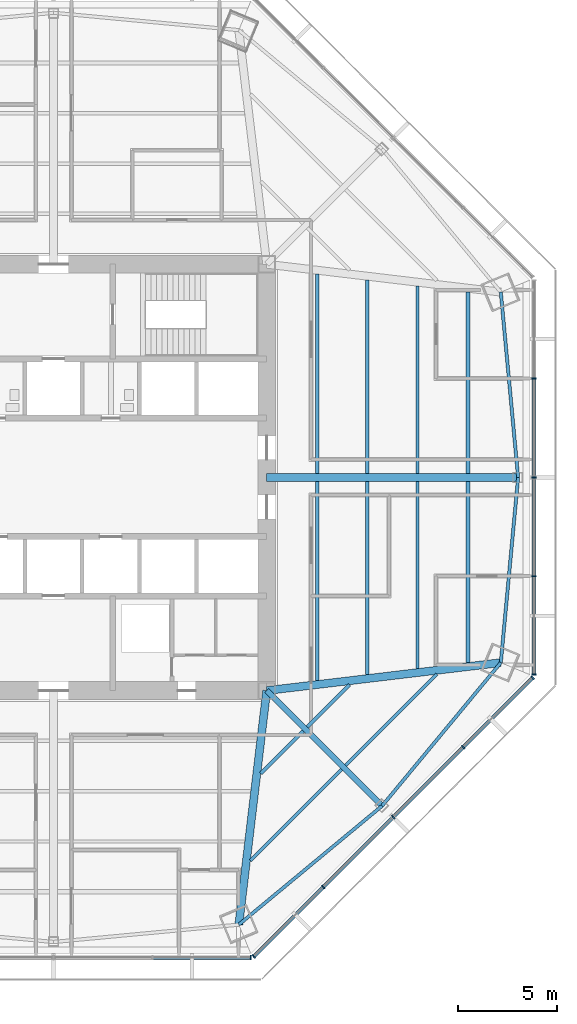
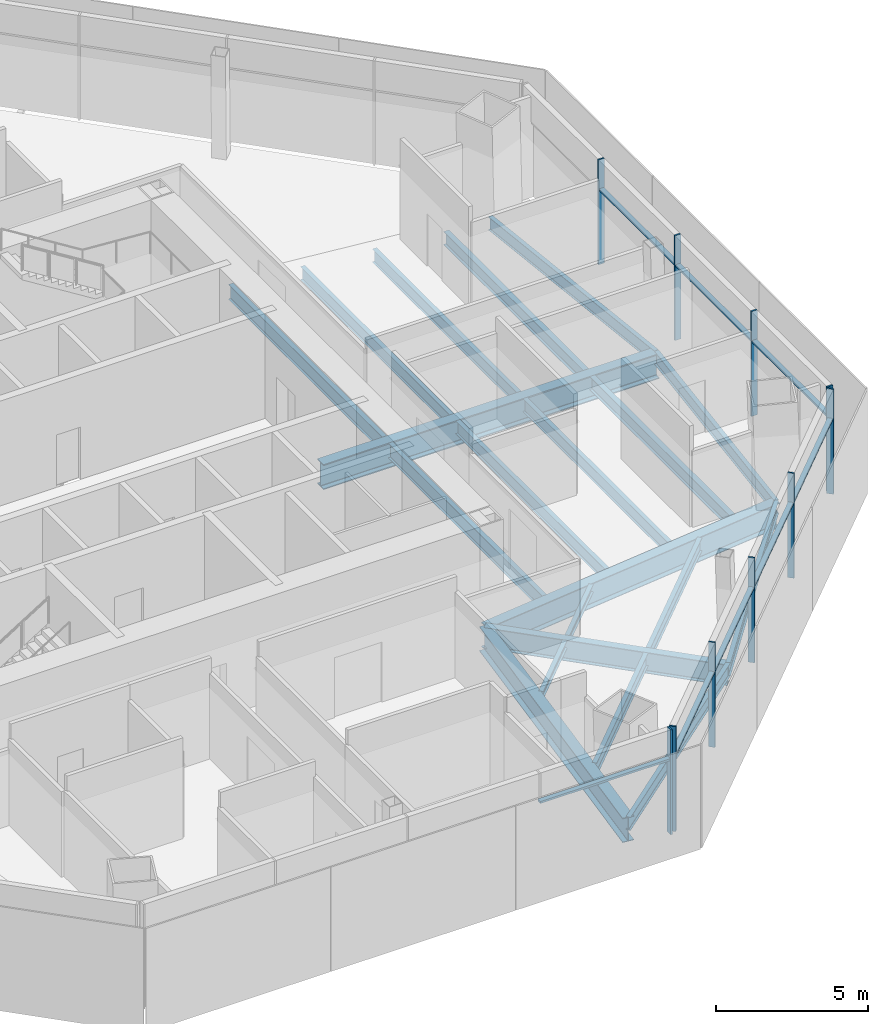
# One storey, part 4 of 14: 20 beams, 18 members, 3 elements without a shape of their own.
"""IFC4 building model written with IfcOpenShell, lengths in metres."""

from ifc_helpers import new_model, si_unit, direction, frame, origin, origin_2d, place, context, subcontext, project, spatial, rectangle, i_section, extrude, source, transform, mapped, material, material_profile, profile_set, type_object, type_shapes, element, aggregate, save


model = new_model("IFC4")

# Units and contexts
model_context = context("Model", 3, precision=1e-05, world=origin(), true_north=direction((0.0, 1.0)))
body_context = subcontext(model_context, "Body", "Model", "MODEL_VIEW")
ifc_project = project(units=[si_unit("LENGTHUNIT", "METRE"), si_unit("AREAUNIT", "SQUARE_METRE"), si_unit("VOLUMEUNIT", "CUBIC_METRE"), si_unit("PLANEANGLEUNIT", "RADIAN"), si_unit("MASSUNIT", "GRAM", prefix="KILO")], contexts=[model_context])

# Site, building, storey
site_placement = place(None, origin())
site = spatial("IfcSite", under=ifc_project, at=site_placement, CompositionType="ELEMENT")
building_placement = place(site_placement, origin())
building = spatial("IfcBuilding", under=site, at=building_placement, Name="Mashrafa Tower", CompositionType="ELEMENT")
storey_placement = place(building_placement, frame((0.0, 0.0, 130.199951171875)))
storey = spatial("IfcBuildingStorey", under=building, at=storey_placement, Name="L29", CompositionType="ELEMENT", Elevation=130.199951171875)

# Beams
ifc_material_1 = material(Name="Steel ASTM A992", Category="steel")
ifc_material_profile_1 = material_profile(ifc_material_1, i_section(OverallWidth=0.164794921875, OverallDepth=0.309814453125, WebThickness=0.005859375, FlangeThickness=0.009765625, FilletRadius=0.007568359375, at=origin_2d()), Name="W12X26")
ifc_profile_set_1 = profile_set([ifc_material_profile_1], Name="Steel ASTM A992")
beam_type_1 = type_object("IfcBeamType", Name="Beam W12X26", PredefinedType="BEAM", material=ifc_profile_set_1)
for number, where, z_axis, x_axis, name in (
    (1, (12.644287109375, -12.850830078125, -0.31982421875), (-0.707106781187, -0.707106781187, 0.0), (0.707106781187, -0.707106781187, 0.0), "Floor beam L29 035"),
    (2, (14.9931640625, -10.501953125, -0.31982421875), (-0.707106781187, -0.707106781187, 0.0), (0.707106781187, -0.707106781187, 0.0), "Floor beam L29 041"),
):
    element("IfcBeam", number, at=place(storey_placement, frame(where, z_axis=z_axis, x_axis=x_axis)), inside=storey, type_object=beam_type_1, Name=name, PredefinedType="BEAM", context=body_context, shape_type="SweptSolid", body=[
        extrude(i_section(OverallWidth=0.164794921875, OverallDepth=0.309814453125, WebThickness=0.005859375, FlangeThickness=0.009765625, FilletRadius=0.007568359375, at=origin_2d()), origin(), (0.0, 0.0, 1.0), 3.02978515625),
    ])
ifc_material_2 = material(Name="Steel ASTM A992", Category="steel")
ifc_material_profile_2 = material_profile(ifc_material_2, i_section(OverallWidth=0.1650390625, OverallDepth=0.52587890625, WebThickness=0.0087890625, FlangeThickness=0.011474609375, FilletRadius=0.0126953125, at=origin_2d()), Name="W21X44")
ifc_profile_set_2 = profile_set([ifc_material_profile_2], Name="Steel ASTM A992")
beam_type_2 = type_object("IfcBeamType", Name="Beam W21X44", PredefinedType="BEAM", material=ifc_profile_set_2)
beam_1_placement = place(storey_placement, frame((14.591796875, -14.79833984375, -0.427734375), z_axis=(-0.707106781187, -0.707106781187, 0.0), x_axis=(0.707106781187, -0.707106781187, 0.0)))
element("IfcBeam", 3, at=beam_1_placement, inside=storey, type_object=beam_type_2, Name="Floor beam L29 039", PredefinedType="BEAM", context=body_context, shape_type="SweptSolid", body=[
    extrude(i_section(OverallWidth=0.1650390625, OverallDepth=0.52587890625, WebThickness=0.0087890625, FlangeThickness=0.011474609375, FilletRadius=0.0126953125, at=origin_2d()), origin(), (0.0, 0.0, 1.0), 6.5302734375),
])
for number, where, z_axis, x_axis, name in (
    (4, (15.89453125, -0.20068359375, -0.427734375), (0.0, -1.0, 0.0), (1.0, 0.0, 0.0), "Floor beam L29 042"),
    (5, (15.89453125, 9.989990234375, -0.427734375), (0.0, -1.0, 0.0), (1.0, 0.0, 0.0), "Floor beam L29 043"),
):
    element("IfcBeam", number, at=place(storey_placement, frame(where, z_axis=z_axis, x_axis=x_axis)), inside=storey, type_object=beam_type_2, Name=name, PredefinedType="BEAM", context=body_context, shape_type="SweptSolid", body=[
        extrude(i_section(OverallWidth=0.1650390625, OverallDepth=0.52587890625, WebThickness=0.0087890625, FlangeThickness=0.011474609375, FilletRadius=0.0126953125, at=origin_2d()), origin(), (0.0, 0.0, 1.0), 9.789306640625),
    ])
for number, where, z_axis, x_axis, name in (
    (6, (18.441650390625, -0.20068359375, -0.427734375), (0.0, -1.0, 0.0), (1.0, 0.0, 0.0), "Floor beam L29 044"),
    (7, (18.441650390625, 9.686279296875, -0.427734375), (0.0, -1.0, 0.0), (1.0, 0.0, 0.0), "Floor beam L29 045"),
):
    element("IfcBeam", number, at=place(storey_placement, frame(where, z_axis=z_axis, x_axis=x_axis)), inside=storey, type_object=beam_type_2, Name=name, PredefinedType="BEAM", context=body_context, shape_type="SweptSolid", body=[
        extrude(i_section(OverallWidth=0.1650390625, OverallDepth=0.52587890625, WebThickness=0.0087890625, FlangeThickness=0.011474609375, FilletRadius=0.0126953125, at=origin_2d()), origin(), (0.0, 0.0, 1.0), 9.485595703125),
    ])
beam_2_placement = place(storey_placement, frame((19.416015625, -9.97412109375, -0.427734375), z_axis=(-0.707106781187, -0.707106781187, 0.0), x_axis=(0.707106781187, -0.707106781187, 0.0)))
element("IfcBeam", 8, at=beam_2_placement, inside=storey, type_object=beam_type_2, Name="Floor beam L29 046", PredefinedType="BEAM", context=body_context, shape_type="SweptSolid", body=[
    extrude(i_section(OverallWidth=0.1650390625, OverallDepth=0.52587890625, WebThickness=0.0087890625, FlangeThickness=0.011474609375, FilletRadius=0.0126953125, at=origin_2d()), origin(), (0.0, 0.0, 1.0), 6.5302734375),
])
for number, where, z_axis, x_axis, name in (
    (9, (9.38525390625, -22.657958984375, -0.427734375), (0.76990848316, 0.63815431328, 0.0), (-0.63815431328, 0.76990848316, 0.0), "Spandrel beam L29 074"),
    (10, (16.642578125, -16.642578125, -0.427734375), (0.63815431328, 0.76990848316, 0.0), (-0.76990848316, 0.63815431328, 0.0), "Spandrel beam L29 076"),
    (11, (22.657958984375, -9.38525390625, -0.427734375), (0.093162590864, 0.995650908533, 0.0), (-0.995650908533, 0.093162590864, 0.0), "Spandrel beam L29 078"),
    (12, (23.5361328125, 0.0, -0.427734375), (-0.093162590864, 0.995650908533, 0.0), (-0.995650908533, -0.093162590864, 0.0), "Spandrel beam L29 080"),
):
    element("IfcBeam", number, at=place(storey_placement, frame(where, z_axis=z_axis, x_axis=x_axis)), inside=storey, type_object=beam_type_2, Name=name, PredefinedType="BEAM", context=body_context, shape_type="SweptSolid", body=[
        extrude(i_section(OverallWidth=0.1650390625, OverallDepth=0.52587890625, WebThickness=0.0087890625, FlangeThickness=0.011474609375, FilletRadius=0.0126953125, at=origin_2d()), origin(), (0.0, 0.0, 1.0), 9.42626953125),
    ])
ifc_material_3 = material(Name="Steel ASTM A992", Category="steel")
ifc_material_profile_3 = material_profile(ifc_material_3, i_section(OverallWidth=0.209228515625, OverallDepth=0.533447265625, WebThickness=0.01025390625, FlangeThickness=0.015625, FilletRadius=0.012939453125, at=origin_2d()), Name="W21X62")
ifc_profile_set_3 = profile_set([ifc_material_profile_3], Name="Steel ASTM A992")
beam_type_3 = type_object("IfcBeamType", Name="Beam W21X62", PredefinedType="BEAM", material=ifc_profile_set_3)
for number, where, z_axis, x_axis, name in (
    (13, (20.989013671875, -0.20068359375, -0.431640625), (0.0, -1.0, 0.0), (1.0, 0.0, 0.0), "Floor beam L29 047"),
    (14, (20.989013671875, 9.38232421875, -0.431640625), (0.0, -1.0, 0.0), (1.0, 0.0, 0.0), "Floor beam L29 048"),
):
    element("IfcBeam", number, at=place(storey_placement, frame(where, z_axis=z_axis, x_axis=x_axis)), inside=storey, type_object=beam_type_3, Name=name, PredefinedType="BEAM", context=body_context, shape_type="SweptSolid", body=[
        extrude(i_section(OverallWidth=0.209228515625, OverallDepth=0.533447265625, WebThickness=0.01025390625, FlangeThickness=0.015625, FilletRadius=0.012939453125, at=origin_2d()), origin(), (0.0, 0.0, 1.0), 9.181640625),
    ])
ifc_material_4 = material(Name="Steel ASTM A992", Category="steel")
ifc_material_profile_4 = material_profile(ifc_material_4, i_section(OverallWidth=0.177978515625, OverallDepth=0.599365234375, WebThickness=0.010009765625, FlangeThickness=0.012939453125, FilletRadius=0.012939453125, at=origin_2d()), Name="W24X55")
ifc_profile_set_4 = profile_set([ifc_material_profile_4], Name="Steel ASTM A992")
beam_type_4 = type_object("IfcBeamType", Name="Beam W24X55", PredefinedType="BEAM", material=ifc_profile_set_4)
for number, where, z_axis, x_axis, name in (
    (15, (13.34716796875, -0.20068359375, -0.464599609375), (0.0, -1.0, 0.0), (1.0, 0.0, 0.0), "Floor beam L29 037"),
    (16, (13.34716796875, 10.2939453125, -0.464599609375), (0.0, -1.0, 0.0), (1.0, 0.0, 0.0), "Floor beam L29 038"),
):
    element("IfcBeam", number, at=place(storey_placement, frame(where, z_axis=z_axis, x_axis=x_axis)), inside=storey, type_object=beam_type_4, Name=name, PredefinedType="BEAM", context=body_context, shape_type="SweptSolid", body=[
        extrude(i_section(OverallWidth=0.177978515625, OverallDepth=0.599365234375, WebThickness=0.010009765625, FlangeThickness=0.012939453125, FilletRadius=0.012939453125, at=origin_2d()), origin(), (0.0, 0.0, 1.0), 10.09326171875),
    ])
ifc_material_5 = material(Name="Steel ASTM A992", Category="steel")
ifc_material_profile_5 = material_profile(ifc_material_5, i_section(OverallWidth=0.2919921875, OverallDepth=0.8408203125, WebThickness=0.0146484375, FlangeThickness=0.021728515625, FilletRadius=0.017333984375, at=origin_2d()), Name="W33X130")
ifc_profile_set_5 = profile_set([ifc_material_profile_5], Name="Steel ASTM A992")
beam_type_5 = type_object("IfcBeamType", Name="Beam W33X130", PredefinedType="BEAM", material=ifc_profile_set_5)
beam_3_placement = place(storey_placement, frame((10.800048828125, -10.800048828125, -0.585205078125), z_axis=(0.707106781187, -0.707106781187, 0.0), x_axis=(0.707106781187, 0.707106781187, 0.0)))
element("IfcBeam", 17, at=beam_3_placement, inside=storey, type_object=beam_type_5, Name="Radial girder L29 059", PredefinedType="BEAM", context=body_context, shape_type="SweptSolid", body=[
    extrude(i_section(OverallWidth=0.2919921875, OverallDepth=0.8408203125, WebThickness=0.0146484375, FlangeThickness=0.021728515625, FilletRadius=0.017333984375, at=origin_2d()), origin(), (0.0, 0.0, 1.0), 8.2626953125),
])
ifc_material_6 = material(Name="Steel ASTM A992", Category="steel")
ifc_material_profile_6 = material_profile(ifc_material_6, i_section(OverallWidth=0.4013671875, OverallDepth=0.98291015625, WebThickness=0.0166015625, FlangeThickness=0.027099609375, FilletRadius=0.0126953125, at=origin_2d()), Name="W40X199")
ifc_profile_set_6 = profile_set([ifc_material_profile_6], Name="Steel ASTM A992")
beam_type_6 = type_object("IfcBeamType", Name="Beam W40X199", PredefinedType="BEAM", material=ifc_profile_set_6)
for number, where, z_axis, x_axis, name in (
    (18, (10.800048828125, -10.800048828125, -0.656494140625), (-0.118472062017, -0.992957386055, 0.0), (0.992957386055, -0.118472062017, 0.0), "Radial girder L29 058"),
    (19, (10.800048828125, -10.800048828125, -0.656494140625), (0.992957386055, 0.118472062017, 0.0), (-0.118472062017, 0.992957386055, 0.0), "Radial girder L29 060"),
):
    element("IfcBeam", number, at=place(storey_placement, frame(where, z_axis=z_axis, x_axis=x_axis)), inside=storey, type_object=beam_type_6, Name=name, PredefinedType="BEAM", context=body_context, shape_type="SweptSolid", body=[
        extrude(i_section(OverallWidth=0.4013671875, OverallDepth=0.98291015625, WebThickness=0.0166015625, FlangeThickness=0.027099609375, FilletRadius=0.0126953125, at=origin_2d()), origin(), (0.0, 0.0, 1.0), 11.94189453125),
    ])
ifc_material_7 = material(Name="Steel ASTM A992", Category="steel")
ifc_material_profile_7 = material_profile(ifc_material_7, i_section(OverallWidth=0.4013671875, OverallDepth=1.010986328125, WebThickness=0.023681640625, FlangeThickness=0.0419921875, FilletRadius=0.02001953125, at=origin_2d()), Name="W40X297")
ifc_profile_set_7 = profile_set([ifc_material_profile_7], Name="Steel ASTM A992")
beam_type_7 = type_object("IfcBeamType", Name="Beam W40X297", PredefinedType="BEAM", material=ifc_profile_set_7)
beam_4_placement = place(storey_placement, frame((10.800048828125, 0.0, -0.67041015625), z_axis=(1.0, 0.0, 0.0), x_axis=(0.0, 1.0, 0.0)))
element("IfcBeam", 20, at=beam_4_placement, inside=storey, type_object=beam_type_7, Name="Radial girder L29 061", PredefinedType="BEAM", context=body_context, shape_type="SweptSolid", body=[
    extrude(i_section(OverallWidth=0.4013671875, OverallDepth=1.010986328125, WebThickness=0.023681640625, FlangeThickness=0.0419921875, FilletRadius=0.02001953125, at=origin_2d()), origin(), (0.0, 0.0, 1.0), 12.736083984375),
])

# Curtain wall, members
ifc_material_8 = material(Name="Unitised aluminium curtain wall", Category="aluminium")
curtain_wall_type = type_object("IfcCurtainWallType", Name="Office curtain wall, zone 2 CW-B 225 deep", PredefinedType="NOTDEFINED", material=ifc_material_8)
curtain_wall_1_placement = place(storey_placement, origin())
curtain_wall_1 = element("IfcCurtainWall", 21, at=curtain_wall_1_placement, inside=storey, type_object=curtain_wall_type, Name="Office curtain wall, zone 2 L29 east", PredefinedType="NOTDEFINED")
ifc_material_9 = material(Name="Extruded aluminium mullion", Category="aluminium")
ifc_material_profile_8 = material_profile(ifc_material_9, rectangle(XDim=0.22509765625, YDim=0.06494140625, at=origin_2d()), Name="Mullion 65x225")
ifc_profile_set_8 = profile_set([ifc_material_profile_8], Name="Extruded aluminium mullion")
member_type_1 = type_object("IfcMemberType", Name="Mullion CW-B 65 x 225", PredefinedType="MULLION", material=ifc_profile_set_8)
shared_shape_1 = source(origin(), body_context, "Body", "SweptSolid", [
    extrude(rectangle(XDim=0.22509765625, YDim=0.06494140625, at=origin_2d()), origin(), (0.0, 0.0, 1.0), 4.199951171875),
])
type_shapes(member_type_1, [shared_shape_1])
member_1_placement = place(storey_placement, frame((24.33154296875, -9.9892578125, 0.0), z_axis=(0.0, 0.0, 1.0), x_axis=(-1.0, 0.0, 0.0)))
member_1 = element("IfcMember", 22, at=member_1_placement, type_object=member_type_1, Name="CW-B mullion 1", PredefinedType="MULLION", context=body_context, shape_type="MappedRepresentation", body=[
    mapped(shared_shape_1, transform((0.0, 0.0, 0.0))),
])
member_2_placement = place(storey_placement, frame((24.33154296875, -5.010986328125, 0.0), z_axis=(0.0, 0.0, 1.0), x_axis=(-1.0, 0.0, 0.0)))
member_2 = element("IfcMember", 23, at=member_2_placement, type_object=member_type_1, Name="CW-B mullion 2", PredefinedType="MULLION", context=body_context, shape_type="MappedRepresentation", body=[
    mapped(shared_shape_1, transform((0.0, 0.0, 0.0))),
])
member_3_placement = place(storey_placement, frame((24.33154296875, 0.0, 0.0), z_axis=(0.0, 0.0, 1.0), x_axis=(-1.0, 0.0, 0.0)))
member_3 = element("IfcMember", 24, at=member_3_placement, type_object=member_type_1, Name="CW-B mullion 3", PredefinedType="MULLION", context=body_context, shape_type="MappedRepresentation", body=[
    mapped(shared_shape_1, transform((0.0, 0.0, 0.0))),
])
member_4_placement = place(storey_placement, frame((24.33154296875, 5.010986328125, 0.0), z_axis=(0.0, 0.0, 1.0), x_axis=(-1.0, 0.0, 0.0)))
member_4 = element("IfcMember", 25, at=member_4_placement, type_object=member_type_1, Name="CW-B mullion 4", PredefinedType="MULLION", context=body_context, shape_type="MappedRepresentation", body=[
    mapped(shared_shape_1, transform((0.0, 0.0, 0.0))),
])

# Curtain wall, member
curtain_wall_2_placement = place(storey_placement, origin())
curtain_wall_2 = element("IfcCurtainWall", 26, at=curtain_wall_2_placement, inside=storey, type_object=curtain_wall_type, Name="Office curtain wall, zone 2 L29 south", PredefinedType="NOTDEFINED")
member_5_placement = place(storey_placement, frame((9.9892578125, -24.33154296875, 0.0), z_axis=(0.0, 0.0, 1.0), x_axis=(0.0, 1.0, 0.0)))
member_5 = element("IfcMember", 27, at=member_5_placement, type_object=member_type_1, Name="CW-B mullion 5", PredefinedType="MULLION", context=body_context, shape_type="MappedRepresentation", body=[
    mapped(shared_shape_1, transform((0.0, 0.0, 0.0))),
])

# Curtain wall, members
curtain_wall_3_placement = place(storey_placement, origin())
curtain_wall_3 = element("IfcCurtainWall", 28, at=curtain_wall_3_placement, inside=storey, type_object=curtain_wall_type, Name="Office curtain wall, zone 2 L29 south-east", PredefinedType="NOTDEFINED")
member_6_placement = place(storey_placement, frame((10.141357421875, -24.2685546875, 0.0), z_axis=(0.0, 0.0, 1.0), x_axis=(-0.707106781187, 0.707106781187, 0.0)))
member_6 = element("IfcMember", 29, at=member_6_placement, type_object=member_type_1, Name="CW-B mullion 1", PredefinedType="MULLION", context=body_context, shape_type="MappedRepresentation", body=[
    mapped(shared_shape_1, transform((0.0, 0.0, 0.0))),
])
member_7_placement = place(storey_placement, frame((13.66162109375, -20.748291015625, 0.0), z_axis=(0.0, 0.0, 1.0), x_axis=(-0.707106781187, 0.707106781187, 0.0)))
member_7 = element("IfcMember", 30, at=member_7_placement, type_object=member_type_1, Name="CW-B mullion 2", PredefinedType="MULLION", context=body_context, shape_type="MappedRepresentation", body=[
    mapped(shared_shape_1, transform((0.0, 0.0, 0.0))),
])
member_8_placement = place(storey_placement, frame((17.205078125, -17.205078125, 0.0), z_axis=(0.0, 0.0, 1.0), x_axis=(-0.707106781187, 0.707106781187, 0.0)))
member_8 = element("IfcMember", 31, at=member_8_placement, type_object=member_type_1, Name="CW-B mullion 3", PredefinedType="MULLION", context=body_context, shape_type="MappedRepresentation", body=[
    mapped(shared_shape_1, transform((0.0, 0.0, 0.0))),
])
member_9_placement = place(storey_placement, frame((20.748291015625, -13.66162109375, 0.0), z_axis=(0.0, 0.0, 1.0), x_axis=(-0.707106781187, 0.707106781187, 0.0)))
member_9 = element("IfcMember", 32, at=member_9_placement, type_object=member_type_1, Name="CW-B mullion 4", PredefinedType="MULLION", context=body_context, shape_type="MappedRepresentation", body=[
    mapped(shared_shape_1, transform((0.0, 0.0, 0.0))),
])
member_10_placement = place(storey_placement, frame((24.2685546875, -10.141357421875, 0.0), z_axis=(0.0, 0.0, 1.0), x_axis=(-0.707106781187, 0.707106781187, 0.0)))
member_10 = element("IfcMember", 33, at=member_10_placement, type_object=member_type_1, Name="CW-B mullion 5", PredefinedType="MULLION", context=body_context, shape_type="MappedRepresentation", body=[
    mapped(shared_shape_1, transform((0.0, 0.0, 0.0))),
])

# Member
ifc_material_10 = material(Name="Extruded aluminium transom", Category="aluminium")
ifc_material_profile_9 = material_profile(ifc_material_10, rectangle(XDim=0.179931640625, YDim=0.080078125, at=origin_2d()), Name="Transom 80x180")
ifc_profile_set_9 = profile_set([ifc_material_profile_9], Name="Extruded aluminium transom")
member_type_2 = type_object("IfcMemberType", Name="Transom CW-B 80 x 180", PredefinedType="MULLION", material=ifc_profile_set_9)
shared_shape_2 = source(origin(), body_context, "Body", "SweptSolid", [
    extrude(rectangle(XDim=0.179931640625, YDim=0.080078125, at=origin_2d()), origin(), (0.0, 0.0, 1.0), 4.913330078125),
])
member_11_placement = place(storey_placement, frame((24.33154296875, -9.956787109375, 3.0), z_axis=(0.0, 1.0, 0.0), x_axis=(-1.0, 0.0, 0.0)))
member_11 = element("IfcMember", 34, at=member_11_placement, type_object=member_type_2, Name="CW-B transom 1", PredefinedType="MULLION", context=body_context, shape_type="MappedRepresentation", body=[
    mapped(shared_shape_2, transform((0.0, 0.0, 0.0))),
])

member_12_placement = place(storey_placement, frame((5.04345703125, -24.33154296875, 3.0), z_axis=(1.0, 0.0, 0.0), x_axis=(0.0, 1.0, 0.0)))
member_12 = element("IfcMember", 35, at=member_12_placement, type_object=member_type_2, Name="CW-B transom 4", PredefinedType="MULLION", context=body_context, shape_type="MappedRepresentation", body=[
    mapped(shared_shape_2, transform((0.0, 0.0, 0.0))),
])

aggregate(curtain_wall_2, [member_5, member_12])

member_13_placement = place(storey_placement, frame((10.16455078125, -24.24560546875, 3.0), z_axis=(0.707081935988, 0.707131625512, 0.0), x_axis=(-0.707131625512, 0.707081935988, 0.0)))
member_13 = element("IfcMember", 36, at=member_13_placement, type_object=member_type_2, Name="CW-B transom 1", PredefinedType="MULLION", context=body_context, shape_type="MappedRepresentation", body=[
    mapped(shared_shape_2, transform((0.0, 0.0, 0.0))),
])

member_14_placement = place(storey_placement, frame((20.771240234375, -13.638671875, 3.0), z_axis=(0.707131625512, 0.707081935988, 0.0), x_axis=(-0.707081935988, 0.707131625512, 0.0)))
member_14 = element("IfcMember", 37, at=member_14_placement, type_object=member_type_2, Name="CW-B transom 4", PredefinedType="MULLION", context=body_context, shape_type="MappedRepresentation", body=[
    mapped(shared_shape_2, transform((0.0, 0.0, 0.0))),
])

shared_shape_3 = source(origin(), body_context, "Body", "SweptSolid", [
    extrude(rectangle(XDim=0.179931640625, YDim=0.080078125, at=origin_2d()), origin(), (0.0, 0.0, 1.0), 4.946044921875),
])
type_shapes(member_type_2, [shared_shape_2, shared_shape_3])
member_15_placement = place(storey_placement, frame((24.33154296875, -4.978515625, 3.0), z_axis=(0.0, 1.0, 0.0), x_axis=(-1.0, 0.0, 0.0)))
member_15 = element("IfcMember", 38, at=member_15_placement, type_object=member_type_2, Name="CW-B transom 2", PredefinedType="MULLION", context=body_context, shape_type="MappedRepresentation", body=[
    mapped(shared_shape_3, transform((0.0, 0.0, 0.0))),
])

member_16_placement = place(storey_placement, frame((24.33154296875, 0.032470703125, 3.0), z_axis=(0.0, 1.0, 0.0), x_axis=(-1.0, 0.0, 0.0)))
member_16 = element("IfcMember", 39, at=member_16_placement, type_object=member_type_2, Name="CW-B transom 3", PredefinedType="MULLION", context=body_context, shape_type="MappedRepresentation", body=[
    mapped(shared_shape_3, transform((0.0, 0.0, 0.0))),
])

aggregate(curtain_wall_1, [member_1, member_2, member_3, member_4, member_11, member_15, member_16])

member_17_placement = place(storey_placement, frame((13.684814453125, -20.725341796875, 3.0), z_axis=(0.707106781187, 0.707106781187, 0.0), x_axis=(-0.707106781187, 0.707106781187, 0.0)))
member_17 = element("IfcMember", 40, at=member_17_placement, type_object=member_type_2, Name="CW-B transom 2", PredefinedType="MULLION", context=body_context, shape_type="MappedRepresentation", body=[
    mapped(shared_shape_3, transform((0.0, 0.0, 0.0))),
])

member_18_placement = place(storey_placement, frame((17.22802734375, -17.18212890625, 3.0), z_axis=(0.707106781187, 0.707106781187, 0.0), x_axis=(-0.707106781187, 0.707106781187, 0.0)))
member_18 = element("IfcMember", 41, at=member_18_placement, type_object=member_type_2, Name="CW-B transom 3", PredefinedType="MULLION", context=body_context, shape_type="MappedRepresentation", body=[
    mapped(shared_shape_3, transform((0.0, 0.0, 0.0))),
])

aggregate(curtain_wall_3, [member_6, member_7, member_8, member_9, member_10, member_13, member_17, member_18, member_14])

save(model, "model.ifc")
